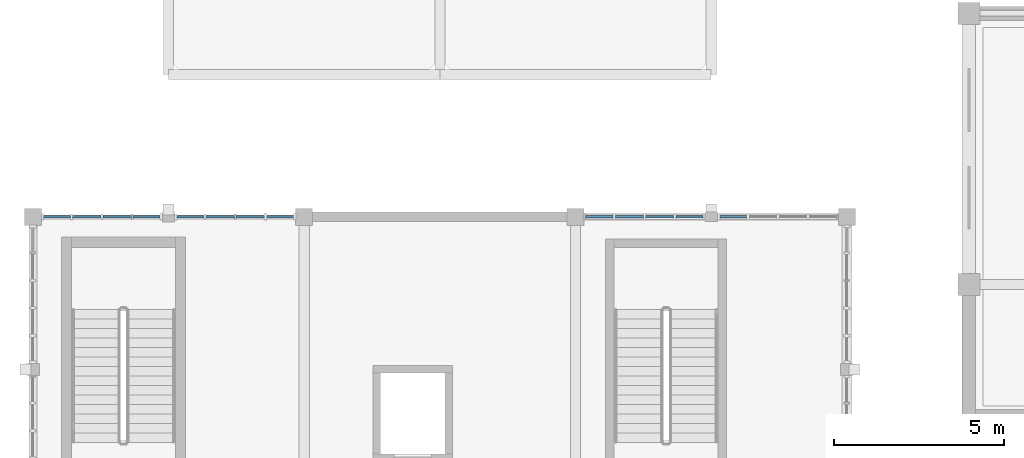
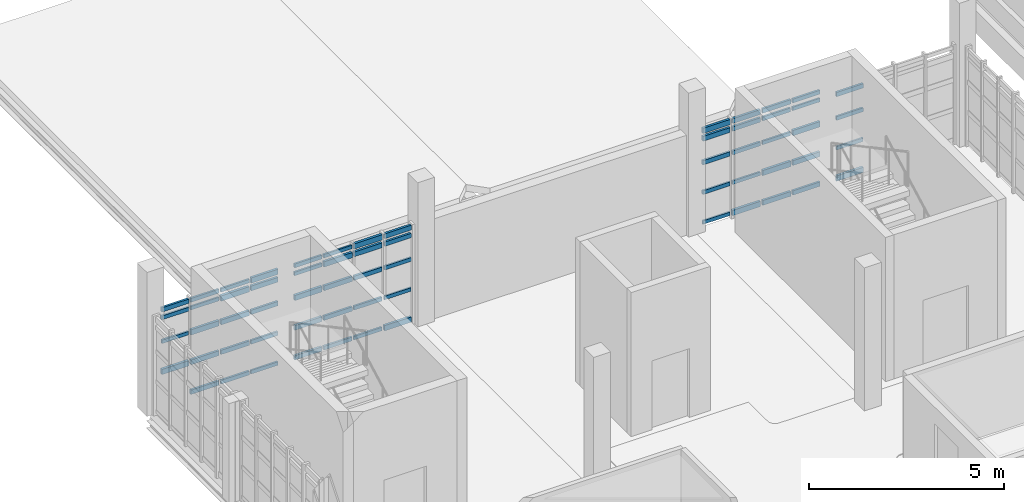
# One storey, part 57 of 125: 63 members, 4 elements without a shape of their own.
"""IFC4 building model written with IfcOpenShell, lengths in metres."""

from ifc_helpers import new_model, si_unit, direction, frame, origin, origin_2d, place, context, subcontext, project, spatial, rectangle, extrude, material, material_profile, profile_set, type_object, element, aggregate, save


model = new_model("IFC4")

# Units and contexts
model_context = context("Model", 3, precision=1e-05, world=origin(), true_north=direction((0.0, 1.0)))
body_context = subcontext(model_context, "Body", "Model", "MODEL_VIEW")
ifc_project = project(units=[si_unit("LENGTHUNIT", "METRE"), si_unit("AREAUNIT", "SQUARE_METRE"), si_unit("VOLUMEUNIT", "CUBIC_METRE"), si_unit("PLANEANGLEUNIT", "RADIAN"), si_unit("MASSUNIT", "GRAM", prefix="KILO")], contexts=[model_context])

# Site, building, storey
site_placement = place(None, origin())
site = spatial("IfcSite", under=ifc_project, at=site_placement, CompositionType="ELEMENT")
building_placement = place(site_placement, origin())
building = spatial("IfcBuilding", under=site, at=building_placement, Name="Serraforn Aerial Cableway Station", CompositionType="ELEMENT")
storey_placement = place(building_placement, frame((0.0, 0.0, 4.5)))
storey = spatial("IfcBuildingStorey", under=building, at=storey_placement, Name="L01", CompositionType="ELEMENT", Elevation=4.5)

# Curtain wall, members
ifc_material_1 = material(Name="Anodised bronze unitised curtain wall")
curtain_wall_type_1 = type_object("IfcCurtainWallType", Name="CW-SYS-13", PredefinedType="USERDEFINED", material=ifc_material_1)
curtain_wall_1_placement = place(storey_placement, origin())
curtain_wall_1 = element("IfcCurtainWall", 1, at=curtain_wall_1_placement, inside=storey, type_object=curtain_wall_type_1, Name="Unitised Curtain Wall CW-W-L01-N1A", ObjectType="UNITISED CURTAIN WALL", PredefinedType="USERDEFINED")
ifc_material_2 = material(Name="Anodised bronze extruded aluminium", Category="aluminium")
ifc_material_profile_1 = material_profile(ifc_material_2, rectangle(XDim=0.054931640625, YDim=0.110107421875, at=origin_2d()), Name="CW TRANSOM 55x110")
ifc_profile_set_1 = profile_set([ifc_material_profile_1], Name="Anodised bronze extruded aluminium")
member_type_1 = type_object("IfcMemberType", Name="CW-TRN-1", PredefinedType="USERDEFINED", material=ifc_profile_set_1)
member_1_placement = place(storey_placement, frame((7.68408203125, 36.0, 1.060791015625), z_axis=(-1.0, 0.0, 0.0), x_axis=(0.0, -1.0, 0.0)))
member_1 = element("IfcMember", 2, at=member_1_placement, type_object=member_type_1, Name="Curtain Wall Transom CW-W-L01-N1A-T1-2", ObjectType="TRANSOM", PredefinedType="USERDEFINED", context=body_context, shape_type="SweptSolid", body=[
    extrude(rectangle(XDim=0.054931640625, YDim=0.110107421875, at=origin_2d()), origin(), (0.0, 0.0, 1.0), 0.78955078125),
])
member_2_placement = place(storey_placement, frame((6.823486328125, 36.0, 0.124755859375), z_axis=(-1.0, 0.0, 0.0), x_axis=(0.0, -1.0, 0.0)))
member_2 = element("IfcMember", 3, at=member_2_placement, type_object=member_type_1, Name="Curtain Wall Transom CW-W-L01-N1A-T2-1", ObjectType="TRANSOM", PredefinedType="USERDEFINED", context=body_context, shape_type="SweptSolid", body=[
    extrude(rectangle(XDim=0.054931640625, YDim=0.110107421875, at=origin_2d()), origin(), (0.0, 0.0, 1.0), 0.83203125),
])
member_3_placement = place(storey_placement, frame((5.9404296875, 36.0, 2.9951171875), z_axis=(-1.0, 0.0, 0.0), x_axis=(0.0, -1.0, 0.0)))
member_3 = element("IfcMember", 4, at=member_3_placement, type_object=member_type_1, Name="Curtain Wall Transom CW-W-L01-N1A-T3-5", ObjectType="TRANSOM", PredefinedType="USERDEFINED", context=body_context, shape_type="SweptSolid", body=[
    extrude(rectangle(XDim=0.054931640625, YDim=0.110107421875, at=origin_2d()), origin(), (0.0, 0.0, 1.0), 0.83935546875),
])
member_4_placement = place(storey_placement, frame((5.044921875, 36.0, 2.74560546875), z_axis=(-1.0, 0.0, 0.0), x_axis=(0.0, -1.0, 0.0)))
member_4 = element("IfcMember", 5, at=member_4_placement, type_object=member_type_1, Name="Curtain Wall Transom CW-W-L01-N1A-T4-4", ObjectType="TRANSOM", PredefinedType="USERDEFINED", context=body_context, shape_type="SweptSolid", body=[
    extrude(rectangle(XDim=0.054931640625, YDim=0.110107421875, at=origin_2d()), origin(), (0.0, 0.0, 1.0), 0.802001953125),
])

curtain_wall_type_2 = type_object("IfcCurtainWallType", Name="CW-SYS-14", PredefinedType="USERDEFINED", material=ifc_material_1)
curtain_wall_2_placement = place(storey_placement, origin())
curtain_wall_2 = element("IfcCurtainWall", 6, at=curtain_wall_2_placement, inside=storey, type_object=curtain_wall_type_2, Name="Unitised Curtain Wall CW-W-L01-N1B", ObjectType="UNITISED CURTAIN WALL", PredefinedType="USERDEFINED")
member_5_placement = place(storey_placement, frame((3.7470703125, 36.0, 0.124755859375), z_axis=(-1.0, 0.0, 0.0), x_axis=(0.0, -1.0, 0.0)))
member_5 = element("IfcMember", 7, at=member_5_placement, type_object=member_type_1, Name="Curtain Wall Transom CW-W-L01-N1B-T1-1", ObjectType="TRANSOM", PredefinedType="USERDEFINED", context=body_context, shape_type="SweptSolid", body=[
    extrude(rectangle(XDim=0.054931640625, YDim=0.110107421875, at=origin_2d()), origin(), (0.0, 0.0, 1.0), 0.794677734375),
])
member_6_placement = place(storey_placement, frame((2.901611328125, 36.0, 2.9951171875), z_axis=(-1.0, 0.0, 0.0), x_axis=(0.0, -1.0, 0.0)))
member_6 = element("IfcMember", 8, at=member_6_placement, type_object=member_type_1, Name="Curtain Wall Transom CW-W-L01-N1B-T2-5", ObjectType="TRANSOM", PredefinedType="USERDEFINED", context=body_context, shape_type="SweptSolid", body=[
    extrude(rectangle(XDim=0.054931640625, YDim=0.110107421875, at=origin_2d()), origin(), (0.0, 0.0, 1.0), 0.839599609375),
])
member_7_placement = place(storey_placement, frame((2.006103515625, 36.0, 2.74560546875), z_axis=(-1.0, 0.0, 0.0), x_axis=(0.0, -1.0, 0.0)))
member_7 = element("IfcMember", 9, at=member_7_placement, type_object=member_type_1, Name="Curtain Wall Transom CW-W-L01-N1B-T3-4", ObjectType="TRANSOM", PredefinedType="USERDEFINED", context=body_context, shape_type="SweptSolid", body=[
    extrude(rectangle(XDim=0.054931640625, YDim=0.110107421875, at=origin_2d()), origin(), (0.0, 0.0, 1.0), 0.834716796875),
])
member_8_placement = place(storey_placement, frame((1.110595703125, 36.0, 1.996826171875), z_axis=(-1.0, 0.0, 0.0), x_axis=(0.0, -1.0, 0.0)))
member_8 = element("IfcMember", 10, at=member_8_placement, type_object=member_type_1, Name="Curtain Wall Transom CW-W-L01-N1B-T4-3", ObjectType="TRANSOM", PredefinedType="USERDEFINED", context=body_context, shape_type="SweptSolid", body=[
    extrude(rectangle(XDim=0.054931640625, YDim=0.110107421875, at=origin_2d()), origin(), (0.0, 0.0, 1.0), 0.794677734375),
])

# Curtain wall, member
curtain_wall_type_3 = type_object("IfcCurtainWallType", Name="CW-SYS-15", PredefinedType="USERDEFINED", material=ifc_material_1)
curtain_wall_3_placement = place(storey_placement, origin())
curtain_wall_3 = element("IfcCurtainWall", 11, at=curtain_wall_3_placement, inside=storey, type_object=curtain_wall_type_3, Name="Unitised Curtain Wall CW-W-L01-N3A", ObjectType="UNITISED CURTAIN WALL", PredefinedType="USERDEFINED")
member_9_placement = place(storey_placement, frame((21.0400390625, 36.0, 1.060791015625), z_axis=(-1.0, 0.0, 0.0), x_axis=(0.0, -1.0, 0.0)))
member_9 = element("IfcMember", 12, at=member_9_placement, type_object=member_type_1, Name="Curtain Wall Transom CW-W-L01-N3A-T4-2", ObjectType="TRANSOM", PredefinedType="USERDEFINED", context=body_context, shape_type="SweptSolid", body=[
    extrude(rectangle(XDim=0.054931640625, YDim=0.110107421875, at=origin_2d()), origin(), (0.0, 0.0, 1.0), 0.787109375),
])

# Curtain wall, members
curtain_wall_type_4 = type_object("IfcCurtainWallType", Name="CW-SYS-16", PredefinedType="USERDEFINED", material=ifc_material_1)
curtain_wall_4_placement = place(storey_placement, origin())
curtain_wall_4 = element("IfcCurtainWall", 13, at=curtain_wall_4_placement, inside=storey, type_object=curtain_wall_type_4, Name="Unitised Curtain Wall CW-W-L01-N3B", ObjectType="UNITISED CURTAIN WALL", PredefinedType="USERDEFINED")
member_10_placement = place(storey_placement, frame((19.761962890625, 36.0, 2.74560546875), z_axis=(-1.0, 0.0, 0.0), x_axis=(0.0, -1.0, 0.0)))
member_10 = element("IfcMember", 14, at=member_10_placement, type_object=member_type_1, Name="Curtain Wall Transom CW-W-L01-N3B-T1-4", ObjectType="TRANSOM", PredefinedType="USERDEFINED", context=body_context, shape_type="SweptSolid", body=[
    extrude(rectangle(XDim=0.054931640625, YDim=0.110107421875, at=origin_2d()), origin(), (0.0, 0.0, 1.0), 0.804443359375),
])
member_11_placement = place(storey_placement, frame((18.896484375, 36.0, 1.996826171875), z_axis=(-1.0, 0.0, 0.0), x_axis=(0.0, -1.0, 0.0)))
member_11 = element("IfcMember", 15, at=member_11_placement, type_object=member_type_1, Name="Curtain Wall Transom CW-W-L01-N3B-T2-3", ObjectType="TRANSOM", PredefinedType="USERDEFINED", context=body_context, shape_type="SweptSolid", body=[
    extrude(rectangle(XDim=0.054931640625, YDim=0.110107421875, at=origin_2d()), origin(), (0.0, 0.0, 1.0), 0.82958984375),
])
member_12_placement = place(storey_placement, frame((18.0009765625, 36.0, 1.060791015625), z_axis=(-1.0, 0.0, 0.0), x_axis=(0.0, -1.0, 0.0)))
member_12 = element("IfcMember", 16, at=member_12_placement, type_object=member_type_1, Name="Curtain Wall Transom CW-W-L01-N3B-T3-2", ObjectType="TRANSOM", PredefinedType="USERDEFINED", context=body_context, shape_type="SweptSolid", body=[
    extrude(rectangle(XDim=0.054931640625, YDim=0.110107421875, at=origin_2d()), origin(), (0.0, 0.0, 1.0), 0.824462890625),
])
member_13_placement = place(storey_placement, frame((17.10546875, 36.0, 0.124755859375), z_axis=(-1.0, 0.0, 0.0), x_axis=(0.0, -1.0, 0.0)))
member_13 = element("IfcMember", 17, at=member_13_placement, type_object=member_type_1, Name="Curtain Wall Transom CW-W-L01-N3B-T4-1", ObjectType="TRANSOM", PredefinedType="USERDEFINED", context=body_context, shape_type="SweptSolid", body=[
    extrude(rectangle(XDim=0.054931640625, YDim=0.110107421875, at=origin_2d()), origin(), (0.0, 0.0, 1.0), 0.804443359375),
])

# Member
ifc_material_profile_2 = material_profile(ifc_material_2, rectangle(XDim=0.06005859375, YDim=0.1201171875, at=origin_2d()), Name="CW TRANSOM 60x120")
ifc_profile_set_2 = profile_set([ifc_material_profile_2], Name="Anodised bronze extruded aluminium")
member_type_2 = type_object("IfcMemberType", Name="CW-TRN-2", PredefinedType="USERDEFINED", material=ifc_profile_set_2)
member_14_placement = place(storey_placement, frame((7.68408203125, 36.0, 1.996826171875), z_axis=(-1.0, 0.0, 0.0), x_axis=(0.0, -1.0, 0.0)))
member_14 = element("IfcMember", 18, at=member_14_placement, type_object=member_type_2, Name="Curtain Wall Transom CW-W-L01-N1A-T1-3", ObjectType="TRANSOM", PredefinedType="USERDEFINED", context=body_context, shape_type="SweptSolid", body=[
    extrude(rectangle(XDim=0.06005859375, YDim=0.1201171875, at=origin_2d()), origin(), (0.0, 0.0, 1.0), 0.78955078125),
])

member_15_placement = place(storey_placement, frame((6.823486328125, 36.0, 1.060791015625), z_axis=(-1.0, 0.0, 0.0), x_axis=(0.0, -1.0, 0.0)))
member_15 = element("IfcMember", 19, at=member_15_placement, type_object=member_type_2, Name="Curtain Wall Transom CW-W-L01-N1A-T2-2", ObjectType="TRANSOM", PredefinedType="USERDEFINED", context=body_context, shape_type="SweptSolid", body=[
    extrude(rectangle(XDim=0.06005859375, YDim=0.1201171875, at=origin_2d()), origin(), (0.0, 0.0, 1.0), 0.83203125),
])

member_16_placement = place(storey_placement, frame((5.9404296875, 36.0, 0.124755859375), z_axis=(-1.0, 0.0, 0.0), x_axis=(0.0, -1.0, 0.0)))
member_16 = element("IfcMember", 20, at=member_16_placement, type_object=member_type_2, Name="Curtain Wall Transom CW-W-L01-N1A-T3-1", ObjectType="TRANSOM", PredefinedType="USERDEFINED", context=body_context, shape_type="SweptSolid", body=[
    extrude(rectangle(XDim=0.06005859375, YDim=0.1201171875, at=origin_2d()), origin(), (0.0, 0.0, 1.0), 0.83935546875),
])

member_17_placement = place(storey_placement, frame((5.044921875, 36.0, 2.9951171875), z_axis=(-1.0, 0.0, 0.0), x_axis=(0.0, -1.0, 0.0)))
member_17 = element("IfcMember", 21, at=member_17_placement, type_object=member_type_2, Name="Curtain Wall Transom CW-W-L01-N1A-T4-5", ObjectType="TRANSOM", PredefinedType="USERDEFINED", context=body_context, shape_type="SweptSolid", body=[
    extrude(rectangle(XDim=0.06005859375, YDim=0.1201171875, at=origin_2d()), origin(), (0.0, 0.0, 1.0), 0.802001953125),
])

member_18_placement = place(storey_placement, frame((3.7470703125, 36.0, 1.060791015625), z_axis=(-1.0, 0.0, 0.0), x_axis=(0.0, -1.0, 0.0)))
member_18 = element("IfcMember", 22, at=member_18_placement, type_object=member_type_2, Name="Curtain Wall Transom CW-W-L01-N1B-T1-2", ObjectType="TRANSOM", PredefinedType="USERDEFINED", context=body_context, shape_type="SweptSolid", body=[
    extrude(rectangle(XDim=0.06005859375, YDim=0.1201171875, at=origin_2d()), origin(), (0.0, 0.0, 1.0), 0.794677734375),
])

member_19_placement = place(storey_placement, frame((2.901611328125, 36.0, 0.124755859375), z_axis=(-1.0, 0.0, 0.0), x_axis=(0.0, -1.0, 0.0)))
member_19 = element("IfcMember", 23, at=member_19_placement, type_object=member_type_2, Name="Curtain Wall Transom CW-W-L01-N1B-T2-1", ObjectType="TRANSOM", PredefinedType="USERDEFINED", context=body_context, shape_type="SweptSolid", body=[
    extrude(rectangle(XDim=0.06005859375, YDim=0.1201171875, at=origin_2d()), origin(), (0.0, 0.0, 1.0), 0.839599609375),
])

member_20_placement = place(storey_placement, frame((2.006103515625, 36.0, 2.9951171875), z_axis=(-1.0, 0.0, 0.0), x_axis=(0.0, -1.0, 0.0)))
member_20 = element("IfcMember", 24, at=member_20_placement, type_object=member_type_2, Name="Curtain Wall Transom CW-W-L01-N1B-T3-5", ObjectType="TRANSOM", PredefinedType="USERDEFINED", context=body_context, shape_type="SweptSolid", body=[
    extrude(rectangle(XDim=0.06005859375, YDim=0.1201171875, at=origin_2d()), origin(), (0.0, 0.0, 1.0), 0.834716796875),
])

member_21_placement = place(storey_placement, frame((1.110595703125, 36.0, 2.74560546875), z_axis=(-1.0, 0.0, 0.0), x_axis=(0.0, -1.0, 0.0)))
member_21 = element("IfcMember", 25, at=member_21_placement, type_object=member_type_2, Name="Curtain Wall Transom CW-W-L01-N1B-T4-4", ObjectType="TRANSOM", PredefinedType="USERDEFINED", context=body_context, shape_type="SweptSolid", body=[
    extrude(rectangle(XDim=0.06005859375, YDim=0.1201171875, at=origin_2d()), origin(), (0.0, 0.0, 1.0), 0.794677734375),
])

member_22_placement = place(storey_placement, frame((21.0400390625, 36.0, 1.996826171875), z_axis=(-1.0, 0.0, 0.0), x_axis=(0.0, -1.0, 0.0)))
member_22 = element("IfcMember", 26, at=member_22_placement, type_object=member_type_2, Name="Curtain Wall Transom CW-W-L01-N3A-T4-3", ObjectType="TRANSOM", PredefinedType="USERDEFINED", context=body_context, shape_type="SweptSolid", body=[
    extrude(rectangle(XDim=0.06005859375, YDim=0.1201171875, at=origin_2d()), origin(), (0.0, 0.0, 1.0), 0.787109375),
])

member_23_placement = place(storey_placement, frame((19.761962890625, 36.0, 2.9951171875), z_axis=(-1.0, 0.0, 0.0), x_axis=(0.0, -1.0, 0.0)))
member_23 = element("IfcMember", 27, at=member_23_placement, type_object=member_type_2, Name="Curtain Wall Transom CW-W-L01-N3B-T1-5", ObjectType="TRANSOM", PredefinedType="USERDEFINED", context=body_context, shape_type="SweptSolid", body=[
    extrude(rectangle(XDim=0.06005859375, YDim=0.1201171875, at=origin_2d()), origin(), (0.0, 0.0, 1.0), 0.804443359375),
])

member_24_placement = place(storey_placement, frame((18.896484375, 36.0, 2.74560546875), z_axis=(-1.0, 0.0, 0.0), x_axis=(0.0, -1.0, 0.0)))
member_24 = element("IfcMember", 28, at=member_24_placement, type_object=member_type_2, Name="Curtain Wall Transom CW-W-L01-N3B-T2-4", ObjectType="TRANSOM", PredefinedType="USERDEFINED", context=body_context, shape_type="SweptSolid", body=[
    extrude(rectangle(XDim=0.06005859375, YDim=0.1201171875, at=origin_2d()), origin(), (0.0, 0.0, 1.0), 0.82958984375),
])

member_25_placement = place(storey_placement, frame((18.0009765625, 36.0, 1.996826171875), z_axis=(-1.0, 0.0, 0.0), x_axis=(0.0, -1.0, 0.0)))
member_25 = element("IfcMember", 29, at=member_25_placement, type_object=member_type_2, Name="Curtain Wall Transom CW-W-L01-N3B-T3-3", ObjectType="TRANSOM", PredefinedType="USERDEFINED", context=body_context, shape_type="SweptSolid", body=[
    extrude(rectangle(XDim=0.06005859375, YDim=0.1201171875, at=origin_2d()), origin(), (0.0, 0.0, 1.0), 0.824462890625),
])

member_26_placement = place(storey_placement, frame((17.10546875, 36.0, 1.060791015625), z_axis=(-1.0, 0.0, 0.0), x_axis=(0.0, -1.0, 0.0)))
member_26 = element("IfcMember", 30, at=member_26_placement, type_object=member_type_2, Name="Curtain Wall Transom CW-W-L01-N3B-T4-2", ObjectType="TRANSOM", PredefinedType="USERDEFINED", context=body_context, shape_type="SweptSolid", body=[
    extrude(rectangle(XDim=0.06005859375, YDim=0.1201171875, at=origin_2d()), origin(), (0.0, 0.0, 1.0), 0.804443359375),
])

ifc_material_profile_3 = material_profile(ifc_material_2, rectangle(XDim=0.06494140625, YDim=0.135009765625, at=origin_2d()), Name="CW TRANSOM 65x135")
ifc_profile_set_3 = profile_set([ifc_material_profile_3], Name="Anodised bronze extruded aluminium")
member_type_3 = type_object("IfcMemberType", Name="CW-TRN-3", PredefinedType="USERDEFINED", material=ifc_profile_set_3)
member_27_placement = place(storey_placement, frame((7.68408203125, 36.0, 2.74560546875), z_axis=(-1.0, 0.0, 0.0), x_axis=(0.0, -1.0, 0.0)))
member_27 = element("IfcMember", 31, at=member_27_placement, type_object=member_type_3, Name="Curtain Wall Transom CW-W-L01-N1A-T1-4", ObjectType="TRANSOM", PredefinedType="USERDEFINED", context=body_context, shape_type="SweptSolid", body=[
    extrude(rectangle(XDim=0.06494140625, YDim=0.135009765625, at=origin_2d()), origin(), (0.0, 0.0, 1.0), 0.78955078125),
])

member_28_placement = place(storey_placement, frame((6.823486328125, 36.0, 1.996826171875), z_axis=(-1.0, 0.0, 0.0), x_axis=(0.0, -1.0, 0.0)))
member_28 = element("IfcMember", 32, at=member_28_placement, type_object=member_type_3, Name="Curtain Wall Transom CW-W-L01-N1A-T2-3", ObjectType="TRANSOM", PredefinedType="USERDEFINED", context=body_context, shape_type="SweptSolid", body=[
    extrude(rectangle(XDim=0.06494140625, YDim=0.135009765625, at=origin_2d()), origin(), (0.0, 0.0, 1.0), 0.83203125),
])

member_29_placement = place(storey_placement, frame((5.9404296875, 36.0, 1.060791015625), z_axis=(-1.0, 0.0, 0.0), x_axis=(0.0, -1.0, 0.0)))
member_29 = element("IfcMember", 33, at=member_29_placement, type_object=member_type_3, Name="Curtain Wall Transom CW-W-L01-N1A-T3-2", ObjectType="TRANSOM", PredefinedType="USERDEFINED", context=body_context, shape_type="SweptSolid", body=[
    extrude(rectangle(XDim=0.06494140625, YDim=0.135009765625, at=origin_2d()), origin(), (0.0, 0.0, 1.0), 0.83935546875),
])

member_30_placement = place(storey_placement, frame((5.044921875, 36.0, 0.124755859375), z_axis=(-1.0, 0.0, 0.0), x_axis=(0.0, -1.0, 0.0)))
member_30 = element("IfcMember", 34, at=member_30_placement, type_object=member_type_3, Name="Curtain Wall Transom CW-W-L01-N1A-T4-1", ObjectType="TRANSOM", PredefinedType="USERDEFINED", context=body_context, shape_type="SweptSolid", body=[
    extrude(rectangle(XDim=0.06494140625, YDim=0.135009765625, at=origin_2d()), origin(), (0.0, 0.0, 1.0), 0.802001953125),
])

member_31_placement = place(storey_placement, frame((3.7470703125, 36.0, 1.996826171875), z_axis=(-1.0, 0.0, 0.0), x_axis=(0.0, -1.0, 0.0)))
member_31 = element("IfcMember", 35, at=member_31_placement, type_object=member_type_3, Name="Curtain Wall Transom CW-W-L01-N1B-T1-3", ObjectType="TRANSOM", PredefinedType="USERDEFINED", context=body_context, shape_type="SweptSolid", body=[
    extrude(rectangle(XDim=0.06494140625, YDim=0.135009765625, at=origin_2d()), origin(), (0.0, 0.0, 1.0), 0.794677734375),
])

member_32_placement = place(storey_placement, frame((2.901611328125, 36.0, 1.060791015625), z_axis=(-1.0, 0.0, 0.0), x_axis=(0.0, -1.0, 0.0)))
member_32 = element("IfcMember", 36, at=member_32_placement, type_object=member_type_3, Name="Curtain Wall Transom CW-W-L01-N1B-T2-2", ObjectType="TRANSOM", PredefinedType="USERDEFINED", context=body_context, shape_type="SweptSolid", body=[
    extrude(rectangle(XDim=0.06494140625, YDim=0.135009765625, at=origin_2d()), origin(), (0.0, 0.0, 1.0), 0.839599609375),
])

member_33_placement = place(storey_placement, frame((2.006103515625, 36.0, 0.124755859375), z_axis=(-1.0, 0.0, 0.0), x_axis=(0.0, -1.0, 0.0)))
member_33 = element("IfcMember", 37, at=member_33_placement, type_object=member_type_3, Name="Curtain Wall Transom CW-W-L01-N1B-T3-1", ObjectType="TRANSOM", PredefinedType="USERDEFINED", context=body_context, shape_type="SweptSolid", body=[
    extrude(rectangle(XDim=0.06494140625, YDim=0.135009765625, at=origin_2d()), origin(), (0.0, 0.0, 1.0), 0.834716796875),
])

member_34_placement = place(storey_placement, frame((1.110595703125, 36.0, 2.9951171875), z_axis=(-1.0, 0.0, 0.0), x_axis=(0.0, -1.0, 0.0)))
member_34 = element("IfcMember", 38, at=member_34_placement, type_object=member_type_3, Name="Curtain Wall Transom CW-W-L01-N1B-T4-5", ObjectType="TRANSOM", PredefinedType="USERDEFINED", context=body_context, shape_type="SweptSolid", body=[
    extrude(rectangle(XDim=0.06494140625, YDim=0.135009765625, at=origin_2d()), origin(), (0.0, 0.0, 1.0), 0.794677734375),
])

member_35_placement = place(storey_placement, frame((21.0400390625, 36.0, 2.74560546875), z_axis=(-1.0, 0.0, 0.0), x_axis=(0.0, -1.0, 0.0)))
member_35 = element("IfcMember", 39, at=member_35_placement, type_object=member_type_3, Name="Curtain Wall Transom CW-W-L01-N3A-T4-4", ObjectType="TRANSOM", PredefinedType="USERDEFINED", context=body_context, shape_type="SweptSolid", body=[
    extrude(rectangle(XDim=0.06494140625, YDim=0.135009765625, at=origin_2d()), origin(), (0.0, 0.0, 1.0), 0.787109375),
])

member_36_placement = place(storey_placement, frame((19.761962890625, 36.0, 0.124755859375), z_axis=(-1.0, 0.0, 0.0), x_axis=(0.0, -1.0, 0.0)))
member_36 = element("IfcMember", 40, at=member_36_placement, type_object=member_type_3, Name="Curtain Wall Transom CW-W-L01-N3B-T1-1", ObjectType="TRANSOM", PredefinedType="USERDEFINED", context=body_context, shape_type="SweptSolid", body=[
    extrude(rectangle(XDim=0.06494140625, YDim=0.135009765625, at=origin_2d()), origin(), (0.0, 0.0, 1.0), 0.804443359375),
])

member_37_placement = place(storey_placement, frame((18.896484375, 36.0, 2.9951171875), z_axis=(-1.0, 0.0, 0.0), x_axis=(0.0, -1.0, 0.0)))
member_37 = element("IfcMember", 41, at=member_37_placement, type_object=member_type_3, Name="Curtain Wall Transom CW-W-L01-N3B-T2-5", ObjectType="TRANSOM", PredefinedType="USERDEFINED", context=body_context, shape_type="SweptSolid", body=[
    extrude(rectangle(XDim=0.06494140625, YDim=0.135009765625, at=origin_2d()), origin(), (0.0, 0.0, 1.0), 0.82958984375),
])

member_38_placement = place(storey_placement, frame((18.0009765625, 36.0, 2.74560546875), z_axis=(-1.0, 0.0, 0.0), x_axis=(0.0, -1.0, 0.0)))
member_38 = element("IfcMember", 42, at=member_38_placement, type_object=member_type_3, Name="Curtain Wall Transom CW-W-L01-N3B-T3-4", ObjectType="TRANSOM", PredefinedType="USERDEFINED", context=body_context, shape_type="SweptSolid", body=[
    extrude(rectangle(XDim=0.06494140625, YDim=0.135009765625, at=origin_2d()), origin(), (0.0, 0.0, 1.0), 0.824462890625),
])

member_39_placement = place(storey_placement, frame((17.10546875, 36.0, 1.996826171875), z_axis=(-1.0, 0.0, 0.0), x_axis=(0.0, -1.0, 0.0)))
member_39 = element("IfcMember", 43, at=member_39_placement, type_object=member_type_3, Name="Curtain Wall Transom CW-W-L01-N3B-T4-3", ObjectType="TRANSOM", PredefinedType="USERDEFINED", context=body_context, shape_type="SweptSolid", body=[
    extrude(rectangle(XDim=0.06494140625, YDim=0.135009765625, at=origin_2d()), origin(), (0.0, 0.0, 1.0), 0.804443359375),
])

ifc_material_profile_4 = material_profile(ifc_material_2, rectangle(XDim=0.070068359375, YDim=0.14990234375, at=origin_2d()), Name="CW TRANSOM 70x150")
ifc_profile_set_4 = profile_set([ifc_material_profile_4], Name="Anodised bronze extruded aluminium")
member_type_4 = type_object("IfcMemberType", Name="CW-TRN-4", PredefinedType="USERDEFINED", material=ifc_profile_set_4)
member_40_placement = place(storey_placement, frame((7.68408203125, 36.0, 2.9951171875), z_axis=(-1.0, 0.0, 0.0), x_axis=(0.0, -1.0, 0.0)))
member_40 = element("IfcMember", 44, at=member_40_placement, type_object=member_type_4, Name="Curtain Wall Transom CW-W-L01-N1A-T1-5", ObjectType="TRANSOM", PredefinedType="USERDEFINED", context=body_context, shape_type="SweptSolid", body=[
    extrude(rectangle(XDim=0.070068359375, YDim=0.14990234375, at=origin_2d()), origin(), (0.0, 0.0, 1.0), 0.78955078125),
])

member_41_placement = place(storey_placement, frame((6.823486328125, 36.0, 2.74560546875), z_axis=(-1.0, 0.0, 0.0), x_axis=(0.0, -1.0, 0.0)))
member_41 = element("IfcMember", 45, at=member_41_placement, type_object=member_type_4, Name="Curtain Wall Transom CW-W-L01-N1A-T2-4", ObjectType="TRANSOM", PredefinedType="USERDEFINED", context=body_context, shape_type="SweptSolid", body=[
    extrude(rectangle(XDim=0.070068359375, YDim=0.14990234375, at=origin_2d()), origin(), (0.0, 0.0, 1.0), 0.83203125),
])

member_42_placement = place(storey_placement, frame((5.9404296875, 36.0, 1.996826171875), z_axis=(-1.0, 0.0, 0.0), x_axis=(0.0, -1.0, 0.0)))
member_42 = element("IfcMember", 46, at=member_42_placement, type_object=member_type_4, Name="Curtain Wall Transom CW-W-L01-N1A-T3-3", ObjectType="TRANSOM", PredefinedType="USERDEFINED", context=body_context, shape_type="SweptSolid", body=[
    extrude(rectangle(XDim=0.070068359375, YDim=0.14990234375, at=origin_2d()), origin(), (0.0, 0.0, 1.0), 0.83935546875),
])

member_43_placement = place(storey_placement, frame((5.044921875, 36.0, 1.060791015625), z_axis=(-1.0, 0.0, 0.0), x_axis=(0.0, -1.0, 0.0)))
member_43 = element("IfcMember", 47, at=member_43_placement, type_object=member_type_4, Name="Curtain Wall Transom CW-W-L01-N1A-T4-2", ObjectType="TRANSOM", PredefinedType="USERDEFINED", context=body_context, shape_type="SweptSolid", body=[
    extrude(rectangle(XDim=0.070068359375, YDim=0.14990234375, at=origin_2d()), origin(), (0.0, 0.0, 1.0), 0.802001953125),
])

member_44_placement = place(storey_placement, frame((3.7470703125, 36.0, 2.74560546875), z_axis=(-1.0, 0.0, 0.0), x_axis=(0.0, -1.0, 0.0)))
member_44 = element("IfcMember", 48, at=member_44_placement, type_object=member_type_4, Name="Curtain Wall Transom CW-W-L01-N1B-T1-4", ObjectType="TRANSOM", PredefinedType="USERDEFINED", context=body_context, shape_type="SweptSolid", body=[
    extrude(rectangle(XDim=0.070068359375, YDim=0.14990234375, at=origin_2d()), origin(), (0.0, 0.0, 1.0), 0.794677734375),
])

member_45_placement = place(storey_placement, frame((2.901611328125, 36.0, 1.996826171875), z_axis=(-1.0, 0.0, 0.0), x_axis=(0.0, -1.0, 0.0)))
member_45 = element("IfcMember", 49, at=member_45_placement, type_object=member_type_4, Name="Curtain Wall Transom CW-W-L01-N1B-T2-3", ObjectType="TRANSOM", PredefinedType="USERDEFINED", context=body_context, shape_type="SweptSolid", body=[
    extrude(rectangle(XDim=0.070068359375, YDim=0.14990234375, at=origin_2d()), origin(), (0.0, 0.0, 1.0), 0.839599609375),
])

member_46_placement = place(storey_placement, frame((2.006103515625, 36.0, 1.060791015625), z_axis=(-1.0, 0.0, 0.0), x_axis=(0.0, -1.0, 0.0)))
member_46 = element("IfcMember", 50, at=member_46_placement, type_object=member_type_4, Name="Curtain Wall Transom CW-W-L01-N1B-T3-2", ObjectType="TRANSOM", PredefinedType="USERDEFINED", context=body_context, shape_type="SweptSolid", body=[
    extrude(rectangle(XDim=0.070068359375, YDim=0.14990234375, at=origin_2d()), origin(), (0.0, 0.0, 1.0), 0.834716796875),
])

member_47_placement = place(storey_placement, frame((19.761962890625, 36.0, 1.060791015625), z_axis=(-1.0, 0.0, 0.0), x_axis=(0.0, -1.0, 0.0)))
member_47 = element("IfcMember", 51, at=member_47_placement, type_object=member_type_4, Name="Curtain Wall Transom CW-W-L01-N3B-T1-2", ObjectType="TRANSOM", PredefinedType="USERDEFINED", context=body_context, shape_type="SweptSolid", body=[
    extrude(rectangle(XDim=0.070068359375, YDim=0.14990234375, at=origin_2d()), origin(), (0.0, 0.0, 1.0), 0.804443359375),
])

member_48_placement = place(storey_placement, frame((18.896484375, 36.0, 0.124755859375), z_axis=(-1.0, 0.0, 0.0), x_axis=(0.0, -1.0, 0.0)))
member_48 = element("IfcMember", 52, at=member_48_placement, type_object=member_type_4, Name="Curtain Wall Transom CW-W-L01-N3B-T2-1", ObjectType="TRANSOM", PredefinedType="USERDEFINED", context=body_context, shape_type="SweptSolid", body=[
    extrude(rectangle(XDim=0.070068359375, YDim=0.14990234375, at=origin_2d()), origin(), (0.0, 0.0, 1.0), 0.82958984375),
])

member_49_placement = place(storey_placement, frame((18.0009765625, 36.0, 2.9951171875), z_axis=(-1.0, 0.0, 0.0), x_axis=(0.0, -1.0, 0.0)))
member_49 = element("IfcMember", 53, at=member_49_placement, type_object=member_type_4, Name="Curtain Wall Transom CW-W-L01-N3B-T3-5", ObjectType="TRANSOM", PredefinedType="USERDEFINED", context=body_context, shape_type="SweptSolid", body=[
    extrude(rectangle(XDim=0.070068359375, YDim=0.14990234375, at=origin_2d()), origin(), (0.0, 0.0, 1.0), 0.824462890625),
])

member_50_placement = place(storey_placement, frame((17.10546875, 36.0, 2.74560546875), z_axis=(-1.0, 0.0, 0.0), x_axis=(0.0, -1.0, 0.0)))
member_50 = element("IfcMember", 54, at=member_50_placement, type_object=member_type_4, Name="Curtain Wall Transom CW-W-L01-N3B-T4-4", ObjectType="TRANSOM", PredefinedType="USERDEFINED", context=body_context, shape_type="SweptSolid", body=[
    extrude(rectangle(XDim=0.070068359375, YDim=0.14990234375, at=origin_2d()), origin(), (0.0, 0.0, 1.0), 0.804443359375),
])

ifc_material_profile_5 = material_profile(ifc_material_2, rectangle(XDim=0.074951171875, YDim=0.1650390625, at=origin_2d()), Name="CW TRANSOM 75x165")
ifc_profile_set_5 = profile_set([ifc_material_profile_5], Name="Anodised bronze extruded aluminium")
member_type_5 = type_object("IfcMemberType", Name="CW-TRN-5", PredefinedType="USERDEFINED", material=ifc_profile_set_5)
member_51_placement = place(storey_placement, frame((7.68408203125, 36.0, 0.124755859375), z_axis=(-1.0, 0.0, 0.0), x_axis=(0.0, -1.0, 0.0)))
member_51 = element("IfcMember", 55, at=member_51_placement, type_object=member_type_5, Name="Curtain Wall Transom CW-W-L01-N1A-T1-1", ObjectType="TRANSOM", PredefinedType="USERDEFINED", context=body_context, shape_type="SweptSolid", body=[
    extrude(rectangle(XDim=0.074951171875, YDim=0.1650390625, at=origin_2d()), origin(), (0.0, 0.0, 1.0), 0.78955078125),
])

member_52_placement = place(storey_placement, frame((6.823486328125, 36.0, 2.9951171875), z_axis=(-1.0, 0.0, 0.0), x_axis=(0.0, -1.0, 0.0)))
member_52 = element("IfcMember", 56, at=member_52_placement, type_object=member_type_5, Name="Curtain Wall Transom CW-W-L01-N1A-T2-5", ObjectType="TRANSOM", PredefinedType="USERDEFINED", context=body_context, shape_type="SweptSolid", body=[
    extrude(rectangle(XDim=0.074951171875, YDim=0.1650390625, at=origin_2d()), origin(), (0.0, 0.0, 1.0), 0.83203125),
])

member_53_placement = place(storey_placement, frame((5.9404296875, 36.0, 2.74560546875), z_axis=(-1.0, 0.0, 0.0), x_axis=(0.0, -1.0, 0.0)))
member_53 = element("IfcMember", 57, at=member_53_placement, type_object=member_type_5, Name="Curtain Wall Transom CW-W-L01-N1A-T3-4", ObjectType="TRANSOM", PredefinedType="USERDEFINED", context=body_context, shape_type="SweptSolid", body=[
    extrude(rectangle(XDim=0.074951171875, YDim=0.1650390625, at=origin_2d()), origin(), (0.0, 0.0, 1.0), 0.83935546875),
])

member_54_placement = place(storey_placement, frame((5.044921875, 36.0, 1.996826171875), z_axis=(-1.0, 0.0, 0.0), x_axis=(0.0, -1.0, 0.0)))
member_54 = element("IfcMember", 58, at=member_54_placement, type_object=member_type_5, Name="Curtain Wall Transom CW-W-L01-N1A-T4-3", ObjectType="TRANSOM", PredefinedType="USERDEFINED", context=body_context, shape_type="SweptSolid", body=[
    extrude(rectangle(XDim=0.074951171875, YDim=0.1650390625, at=origin_2d()), origin(), (0.0, 0.0, 1.0), 0.802001953125),
])

aggregate(curtain_wall_1, [member_51, member_1, member_14, member_27, member_40, member_2, member_15, member_28, member_41, member_52, member_16, member_29, member_42, member_53, member_3, member_30, member_43, member_54, member_4, member_17])

member_55_placement = place(storey_placement, frame((3.7470703125, 36.0, 2.9951171875), z_axis=(-1.0, 0.0, 0.0), x_axis=(0.0, -1.0, 0.0)))
member_55 = element("IfcMember", 59, at=member_55_placement, type_object=member_type_5, Name="Curtain Wall Transom CW-W-L01-N1B-T1-5", ObjectType="TRANSOM", PredefinedType="USERDEFINED", context=body_context, shape_type="SweptSolid", body=[
    extrude(rectangle(XDim=0.074951171875, YDim=0.1650390625, at=origin_2d()), origin(), (0.0, 0.0, 1.0), 0.794677734375),
])

member_56_placement = place(storey_placement, frame((2.901611328125, 36.0, 2.74560546875), z_axis=(-1.0, 0.0, 0.0), x_axis=(0.0, -1.0, 0.0)))
member_56 = element("IfcMember", 60, at=member_56_placement, type_object=member_type_5, Name="Curtain Wall Transom CW-W-L01-N1B-T2-4", ObjectType="TRANSOM", PredefinedType="USERDEFINED", context=body_context, shape_type="SweptSolid", body=[
    extrude(rectangle(XDim=0.074951171875, YDim=0.1650390625, at=origin_2d()), origin(), (0.0, 0.0, 1.0), 0.839599609375),
])

member_57_placement = place(storey_placement, frame((2.006103515625, 36.0, 1.996826171875), z_axis=(-1.0, 0.0, 0.0), x_axis=(0.0, -1.0, 0.0)))
member_57 = element("IfcMember", 61, at=member_57_placement, type_object=member_type_5, Name="Curtain Wall Transom CW-W-L01-N1B-T3-3", ObjectType="TRANSOM", PredefinedType="USERDEFINED", context=body_context, shape_type="SweptSolid", body=[
    extrude(rectangle(XDim=0.074951171875, YDim=0.1650390625, at=origin_2d()), origin(), (0.0, 0.0, 1.0), 0.834716796875),
])

member_58_placement = place(storey_placement, frame((1.110595703125, 36.0, 1.060791015625), z_axis=(-1.0, 0.0, 0.0), x_axis=(0.0, -1.0, 0.0)))
member_58 = element("IfcMember", 62, at=member_58_placement, type_object=member_type_5, Name="Curtain Wall Transom CW-W-L01-N1B-T4-2", ObjectType="TRANSOM", PredefinedType="USERDEFINED", context=body_context, shape_type="SweptSolid", body=[
    extrude(rectangle(XDim=0.074951171875, YDim=0.1650390625, at=origin_2d()), origin(), (0.0, 0.0, 1.0), 0.794677734375),
])

aggregate(curtain_wall_2, [member_5, member_18, member_31, member_44, member_55, member_19, member_32, member_45, member_56, member_6, member_33, member_46, member_57, member_7, member_20, member_58, member_8, member_21, member_34])

member_59_placement = place(storey_placement, frame((21.0400390625, 36.0, 0.124755859375), z_axis=(-1.0, 0.0, 0.0), x_axis=(0.0, -1.0, 0.0)))
member_59 = element("IfcMember", 63, at=member_59_placement, type_object=member_type_5, Name="Curtain Wall Transom CW-W-L01-N3A-T4-1", ObjectType="TRANSOM", PredefinedType="USERDEFINED", context=body_context, shape_type="SweptSolid", body=[
    extrude(rectangle(XDim=0.074951171875, YDim=0.1650390625, at=origin_2d()), origin(), (0.0, 0.0, 1.0), 0.787109375),
])

aggregate(curtain_wall_3, [member_59, member_9, member_22, member_35])

member_60_placement = place(storey_placement, frame((19.761962890625, 36.0, 1.996826171875), z_axis=(-1.0, 0.0, 0.0), x_axis=(0.0, -1.0, 0.0)))
member_60 = element("IfcMember", 64, at=member_60_placement, type_object=member_type_5, Name="Curtain Wall Transom CW-W-L01-N3B-T1-3", ObjectType="TRANSOM", PredefinedType="USERDEFINED", context=body_context, shape_type="SweptSolid", body=[
    extrude(rectangle(XDim=0.074951171875, YDim=0.1650390625, at=origin_2d()), origin(), (0.0, 0.0, 1.0), 0.804443359375),
])

member_61_placement = place(storey_placement, frame((18.896484375, 36.0, 1.060791015625), z_axis=(-1.0, 0.0, 0.0), x_axis=(0.0, -1.0, 0.0)))
member_61 = element("IfcMember", 65, at=member_61_placement, type_object=member_type_5, Name="Curtain Wall Transom CW-W-L01-N3B-T2-2", ObjectType="TRANSOM", PredefinedType="USERDEFINED", context=body_context, shape_type="SweptSolid", body=[
    extrude(rectangle(XDim=0.074951171875, YDim=0.1650390625, at=origin_2d()), origin(), (0.0, 0.0, 1.0), 0.82958984375),
])

member_62_placement = place(storey_placement, frame((18.0009765625, 36.0, 0.124755859375), z_axis=(-1.0, 0.0, 0.0), x_axis=(0.0, -1.0, 0.0)))
member_62 = element("IfcMember", 66, at=member_62_placement, type_object=member_type_5, Name="Curtain Wall Transom CW-W-L01-N3B-T3-1", ObjectType="TRANSOM", PredefinedType="USERDEFINED", context=body_context, shape_type="SweptSolid", body=[
    extrude(rectangle(XDim=0.074951171875, YDim=0.1650390625, at=origin_2d()), origin(), (0.0, 0.0, 1.0), 0.824462890625),
])

member_63_placement = place(storey_placement, frame((17.10546875, 36.0, 2.9951171875), z_axis=(-1.0, 0.0, 0.0), x_axis=(0.0, -1.0, 0.0)))
member_63 = element("IfcMember", 67, at=member_63_placement, type_object=member_type_5, Name="Curtain Wall Transom CW-W-L01-N3B-T4-5", ObjectType="TRANSOM", PredefinedType="USERDEFINED", context=body_context, shape_type="SweptSolid", body=[
    extrude(rectangle(XDim=0.074951171875, YDim=0.1650390625, at=origin_2d()), origin(), (0.0, 0.0, 1.0), 0.804443359375),
])

aggregate(curtain_wall_4, [member_36, member_47, member_60, member_10, member_23, member_48, member_61, member_11, member_24, member_37, member_62, member_12, member_25, member_38, member_49, member_13, member_26, member_39, member_50, member_63])

save(model, "model.ifc")
